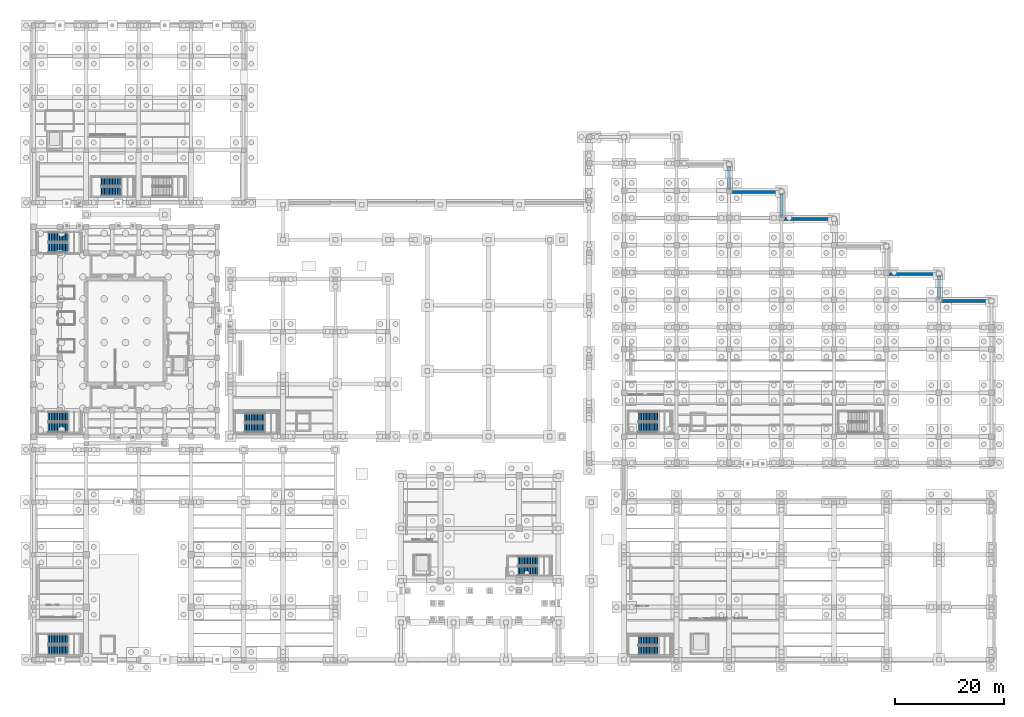
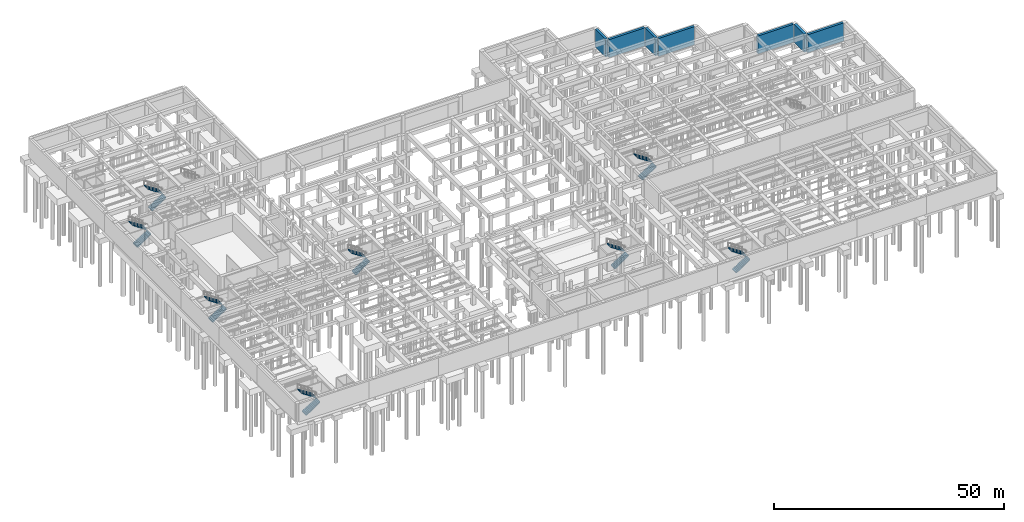
# One storey, part 41 of 56: 16 stair flights, 7 walls, 8 elements without a shape of their own.
"""IFC4 building model written with IfcOpenShell, lengths in metres."""

from ifc_helpers import new_model, si_unit, direction, frame, frame_2d, origin, place, context, subcontext, project, spatial, polyline, rectangle, outline, extrude, material, layer, layer_set, type_object, element, aggregate, save


model = new_model("IFC4")

# Units and contexts
model_context = context("Model", 3, precision=1e-05, world=origin(), true_north=direction((0.0, 1.0)))
body_context = subcontext(model_context, "Body", "Model", "MODEL_VIEW")
ifc_project = project(units=[si_unit("LENGTHUNIT", "METRE"), si_unit("AREAUNIT", "SQUARE_METRE"), si_unit("VOLUMEUNIT", "CUBIC_METRE"), si_unit("PLANEANGLEUNIT", "RADIAN"), si_unit("MASSUNIT", "GRAM", prefix="KILO")], contexts=[model_context])

# Site, building, storey
site_placement = place(None, origin())
site = spatial("IfcSite", under=ifc_project, at=site_placement, CompositionType="ELEMENT")
building_placement = place(site_placement, origin())
building = spatial("IfcBuilding", under=site, at=building_placement, Name="Mavantir Sound Aquarium", CompositionType="ELEMENT")
storey_placement = place(building_placement, frame((0.0, 0.0, -9.60009765625)))
storey = spatial("IfcBuildingStorey", under=building, at=storey_placement, Name="B2", CompositionType="ELEMENT", Elevation=-9.60009765625)

# Walls
ifc_material_1 = material(Name="Concrete C45/55", Category="concrete")
ifc_layer = layer(ifc_material_1, 0.60009765625, Name="Concrete C45/55")
ifc_layer_set = layer_set([ifc_layer], Name="Concrete C45/55")
wall_type = type_object("IfcWallType", Name="SW-RET-600", PredefinedType="USERDEFINED", material=ifc_layer_set)
wall_1_placement = place(storey_placement, frame((127.199951171875, 90.320068359375, 0.0), z_axis=(0.0, 0.0, 1.0), x_axis=(0.0, -1.0, 0.0)))
element("IfcWall", 1, at=wall_1_placement, inside=storey, type_object=wall_type, Name="B2 perimeter plinth retaining wall 39", ObjectType="RETAINING WALL", PredefinedType="USERDEFINED", context=body_context, shape_type="SweptSolid", body=[
    extrude(rectangle(XDim=4.440185546875, YDim=0.60009765625, at=frame_2d((2.22021484375, 0.0))), origin(), (0.0, 0.0, 1.0), 4.800048828125),
])
wall_2_placement = place(storey_placement, frame((127.47998046875, 85.60009765625, 0.0), z_axis=(0.0, 0.0, 1.0), x_axis=(1.0, 0.0, 0.0)))
element("IfcWall", 2, at=wall_2_placement, inside=storey, type_object=wall_type, Name="B2 perimeter plinth retaining wall 41", ObjectType="RETAINING WALL", PredefinedType="USERDEFINED", context=body_context, shape_type="SweptSolid", body=[
    extrude(rectangle(XDim=9.0400390625, YDim=0.60009765625, at=frame_2d((4.52001953125, 0.0))), origin(), (0.0, 0.0, 1.0), 4.800048828125),
])
wall_3_placement = place(storey_placement, frame((136.800048828125, 85.320068359375, 0.0), z_axis=(0.0, 0.0, 1.0), x_axis=(0.0, -1.0, 0.0)))
element("IfcWall", 3, at=wall_3_placement, inside=storey, type_object=wall_type, Name="B2 perimeter plinth retaining wall 43", ObjectType="RETAINING WALL", PredefinedType="USERDEFINED", context=body_context, shape_type="SweptSolid", body=[
    extrude(rectangle(XDim=4.440185546875, YDim=0.60009765625, at=frame_2d((2.22021484375, 0.0))), origin(), (0.0, 0.0, 1.0), 4.800048828125),
])
for number, where, z_axis, x_axis, name in (
    (4, (137.080078125, 80.60009765625, 0.0), (0.0, 0.0, 1.0), (1.0, 0.0, 0.0), "B2 perimeter plinth retaining wall 45"),
    (5, (156.280029296875, 70.60009765625, 0.0), (0.0, 0.0, 1.0), (1.0, 0.0, 0.0), "B2 perimeter plinth retaining wall 53"),
):
    element("IfcWall", number, at=place(storey_placement, frame(where, z_axis=z_axis, x_axis=x_axis)), inside=storey, type_object=wall_type, Name=name, ObjectType="RETAINING WALL", PredefinedType="USERDEFINED", context=body_context, shape_type="SweptSolid", body=[
        extrude(rectangle(XDim=9.0400390625, YDim=0.60009765625, at=frame_2d((4.52001953125, 0.0))), origin(), (0.0, 0.0, 1.0), 4.800048828125),
    ])
wall_4_placement = place(storey_placement, frame((165.60009765625, 70.320068359375, 0.0), z_axis=(0.0, 0.0, 1.0), x_axis=(0.0, -1.0, 0.0)))
element("IfcWall", 6, at=wall_4_placement, inside=storey, type_object=wall_type, Name="B2 perimeter plinth retaining wall 55", ObjectType="RETAINING WALL", PredefinedType="USERDEFINED", context=body_context, shape_type="SweptSolid", body=[
    extrude(rectangle(XDim=4.440185546875, YDim=0.60009765625, at=frame_2d((2.22021484375, 0.0))), origin(), (0.0, 0.0, 1.0), 4.800048828125),
])
wall_5_placement = place(storey_placement, frame((165.8798828125, 65.60009765625, 0.0), z_axis=(0.0, 0.0, 1.0), x_axis=(1.0, 0.0, 0.0)))
element("IfcWall", 7, at=wall_5_placement, inside=storey, type_object=wall_type, Name="B2 perimeter plinth retaining wall 57", ObjectType="RETAINING WALL", PredefinedType="USERDEFINED", context=body_context, shape_type="SweptSolid", body=[
    extrude(rectangle(XDim=9.0400390625, YDim=0.60009765625, at=frame_2d((4.52001953125, 0.0))), origin(), (0.0, 0.0, 1.0), 4.800048828125),
])

# Stair, stair flights
ifc_material_2 = material(Name="Concrete C40/50", Category="concrete")
stair_type_1 = type_object("IfcStairType", Name="STR-1650-4800", PredefinedType="HALF_TURN_STAIR", material=ifc_material_2)
stair_1_placement = place(storey_placement, origin())
stair_1 = element("IfcStair", 8, at=stair_1_placement, inside=storey, type_object=stair_type_1, Name="B2 Protected exit stair ST5", PredefinedType="HALF_TURN_STAIR")
stair_flight_type_1 = type_object("IfcStairFlightType", Name="STF-1650-4800", PredefinedType="STRAIGHT", material=ifc_material_2)
stair_flight_1_placement = place(storey_placement, frame((12.39990234375, 85.625, 0.0), z_axis=(0.0, 0.0, 1.0), x_axis=(1.0, 0.0, 0.0)))
stair_flight_1 = element("IfcStairFlight", 9, at=stair_flight_1_placement, type_object=stair_flight_type_1, Name="ST5 flight 1", NumberOfRisers=13, NumberOfTreads=12, PredefinedType="STRAIGHT", RiserHeight=0.184615385, TreadLength=0.29, context=body_context, shape_type="SweptSolid", body=[
    extrude(outline(polyline([(-0.044921875, -0.139892578125), (-0.044921875, 0.0), (0.0, 0.0), (0.0, 0.1845703125), (0.2900390625, 0.1845703125), (0.2900390625, 0.369140625), (0.580078125, 0.369140625), (0.580078125, 0.553955078125), (0.8701171875, 0.553955078125), (0.8701171875, 0.738525390625), (1.159912109375, 0.738525390625), (1.159912109375, 0.923095703125), (1.449951171875, 0.923095703125), (1.449951171875, 1.107666015625), (1.739990234375, 1.107666015625), (1.739990234375, 1.292236328125), (2.030029296875, 1.292236328125), (2.030029296875, 1.476806640625), (2.320068359375, 1.476806640625), (2.320068359375, 1.66162109375), (2.610107421875, 1.66162109375), (2.610107421875, 1.84619140625), (2.89990234375, 1.84619140625), (2.89990234375, 2.03076171875), (3.18994140625, 2.03076171875), (3.18994140625, 2.21533203125), (3.47998046875, 2.21533203125), (3.47998046875, 2.39990234375), (3.52490234375, 2.39990234375), (3.52490234375, 2.080078125), (3.47998046875, 2.080078125), (0.212646484375, -0.139892578125), (-0.044921875, -0.139892578125)])), frame((0.0, 0.824951171875, 0.0), z_axis=(0.0, -1.0, 0.0), x_axis=(1.0, 0.0, 0.0)), (0.0, 0.0, 1.0), 1.64990234375),
])
stair_flight_2_placement = place(storey_placement, frame((15.8798828125, 87.425048828125, 2.400146484375), z_axis=(0.0, 0.0, 1.0), x_axis=(-1.0, 0.0, 0.0)))
stair_flight_2 = element("IfcStairFlight", 10, at=stair_flight_2_placement, type_object=stair_flight_type_1, Name="ST5 flight 2", NumberOfRisers=13, NumberOfTreads=12, PredefinedType="STRAIGHT", RiserHeight=0.184615385, TreadLength=0.29, context=body_context, shape_type="SweptSolid", body=[
    extrude(outline(polyline([(-0.044921875, -0.139892578125), (-0.044921875, 0.0), (0.0, 0.0), (0.0, 0.1845703125), (0.2900390625, 0.1845703125), (0.2900390625, 0.369140625), (0.580078125, 0.369140625), (0.580078125, 0.553955078125), (0.8701171875, 0.553955078125), (0.8701171875, 0.738525390625), (1.159912109375, 0.738525390625), (1.159912109375, 0.923095703125), (1.449951171875, 0.923095703125), (1.449951171875, 1.107666015625), (1.739990234375, 1.107666015625), (1.739990234375, 1.292236328125), (2.030029296875, 1.292236328125), (2.030029296875, 1.476806640625), (2.320068359375, 1.476806640625), (2.320068359375, 1.66162109375), (2.610107421875, 1.66162109375), (2.610107421875, 1.84619140625), (2.89990234375, 1.84619140625), (2.89990234375, 2.03076171875), (3.18994140625, 2.03076171875), (3.18994140625, 2.21533203125), (3.47998046875, 2.21533203125), (3.47998046875, 2.39990234375), (3.52490234375, 2.39990234375), (3.52490234375, 2.080078125), (3.47998046875, 2.080078125), (0.212646484375, -0.139892578125), (-0.044921875, -0.139892578125)])), frame((0.0, 0.824951171875, 0.0), z_axis=(0.0, -1.0, 0.0), x_axis=(1.0, 0.0, 0.0)), (0.0, 0.0, 1.0), 1.64990234375),
])
aggregate(stair_1, [stair_flight_1, stair_flight_2])

stair_2_placement = place(storey_placement, origin())
stair_2 = element("IfcStair", 11, at=stair_2_placement, inside=storey, type_object=stair_type_1, Name="B2 Protected exit stair ST6", PredefinedType="HALF_TURN_STAIR")
stair_flight_3_placement = place(storey_placement, frame((110.64990234375, 1.675048828125, 0.0), z_axis=(0.0, 0.0, 1.0), x_axis=(1.0, 0.0, 0.0)))
stair_flight_3 = element("IfcStairFlight", 12, at=stair_flight_3_placement, type_object=stair_flight_type_1, Name="ST6 flight 1", NumberOfRisers=13, NumberOfTreads=12, PredefinedType="STRAIGHT", RiserHeight=0.184615385, TreadLength=0.29, context=body_context, shape_type="SweptSolid", body=[
    extrude(outline(polyline([(-0.044921875, -0.139892578125), (-0.044921875, 0.0), (0.0, 0.0), (0.0, 0.1845703125), (0.2900390625, 0.1845703125), (0.2900390625, 0.369140625), (0.580078125, 0.369140625), (0.580078125, 0.553955078125), (0.8701171875, 0.553955078125), (0.8701171875, 0.738525390625), (1.159912109375, 0.738525390625), (1.159912109375, 0.923095703125), (1.449951171875, 0.923095703125), (1.449951171875, 1.107666015625), (1.739990234375, 1.107666015625), (1.739990234375, 1.292236328125), (2.030029296875, 1.292236328125), (2.030029296875, 1.476806640625), (2.320068359375, 1.476806640625), (2.320068359375, 1.66162109375), (2.610107421875, 1.66162109375), (2.610107421875, 1.84619140625), (2.89990234375, 1.84619140625), (2.89990234375, 2.03076171875), (3.18994140625, 2.03076171875), (3.18994140625, 2.21533203125), (3.47998046875, 2.21533203125), (3.47998046875, 2.39990234375), (3.52490234375, 2.39990234375), (3.52490234375, 2.080078125), (3.47998046875, 2.080078125), (0.212646484375, -0.139892578125), (-0.044921875, -0.139892578125)])), frame((0.0, 0.824951171875, 0.0), z_axis=(0.0, -1.0, 0.0), x_axis=(1.0, 0.0, 0.0)), (0.0, 0.0, 1.0), 1.64990234375),
])
stair_flight_4_placement = place(storey_placement, frame((114.1298828125, 3.47509765625, 2.400146484375), z_axis=(0.0, 0.0, 1.0), x_axis=(-1.0, 0.0, 0.0)))
stair_flight_4 = element("IfcStairFlight", 13, at=stair_flight_4_placement, type_object=stair_flight_type_1, Name="ST6 flight 2", NumberOfRisers=13, NumberOfTreads=12, PredefinedType="STRAIGHT", RiserHeight=0.184615385, TreadLength=0.29, context=body_context, shape_type="SweptSolid", body=[
    extrude(outline(polyline([(-0.044921875, -0.139892578125), (-0.044921875, 0.0), (0.0, 0.0), (0.0, 0.1845703125), (0.2900390625, 0.1845703125), (0.2900390625, 0.369140625), (0.580078125, 0.369140625), (0.580078125, 0.553955078125), (0.8701171875, 0.553955078125), (0.8701171875, 0.738525390625), (1.159912109375, 0.738525390625), (1.159912109375, 0.923095703125), (1.449951171875, 0.923095703125), (1.449951171875, 1.107666015625), (1.739990234375, 1.107666015625), (1.739990234375, 1.292236328125), (2.030029296875, 1.292236328125), (2.030029296875, 1.476806640625), (2.320068359375, 1.476806640625), (2.320068359375, 1.66162109375), (2.610107421875, 1.66162109375), (2.610107421875, 1.84619140625), (2.89990234375, 1.84619140625), (2.89990234375, 2.03076171875), (3.18994140625, 2.03076171875), (3.18994140625, 2.21533203125), (3.47998046875, 2.21533203125), (3.47998046875, 2.39990234375), (3.52490234375, 2.39990234375), (3.52490234375, 2.080078125), (3.47998046875, 2.080078125), (0.212646484375, -0.139892578125), (-0.044921875, -0.139892578125)])), frame((0.0, 0.824951171875, 0.0), z_axis=(0.0, -1.0, 0.0), x_axis=(1.0, 0.0, 0.0)), (0.0, 0.0, 1.0), 1.64990234375),
])
aggregate(stair_2, [stair_flight_3, stair_flight_4])

stair_3_placement = place(storey_placement, origin())
stair_3 = element("IfcStair", 14, at=stair_3_placement, inside=storey, type_object=stair_type_1, Name="B2 Protected exit stair ST8", PredefinedType="HALF_TURN_STAIR")
stair_flight_5_placement = place(storey_placement, frame((38.64990234375, 42.425048828125, 0.0), z_axis=(0.0, 0.0, 1.0), x_axis=(1.0, 0.0, 0.0)))
stair_flight_5 = element("IfcStairFlight", 15, at=stair_flight_5_placement, type_object=stair_flight_type_1, Name="ST8 flight 1", NumberOfRisers=13, NumberOfTreads=12, PredefinedType="STRAIGHT", RiserHeight=0.184615385, TreadLength=0.29, context=body_context, shape_type="SweptSolid", body=[
    extrude(outline(polyline([(-0.044921875, -0.139892578125), (-0.044921875, 0.0), (0.0, 0.0), (0.0, 0.1845703125), (0.2900390625, 0.1845703125), (0.2900390625, 0.369140625), (0.580078125, 0.369140625), (0.580078125, 0.553955078125), (0.8701171875, 0.553955078125), (0.8701171875, 0.738525390625), (1.159912109375, 0.738525390625), (1.159912109375, 0.923095703125), (1.449951171875, 0.923095703125), (1.449951171875, 1.107666015625), (1.739990234375, 1.107666015625), (1.739990234375, 1.292236328125), (2.030029296875, 1.292236328125), (2.030029296875, 1.476806640625), (2.320068359375, 1.476806640625), (2.320068359375, 1.66162109375), (2.610107421875, 1.66162109375), (2.610107421875, 1.84619140625), (2.89990234375, 1.84619140625), (2.89990234375, 2.03076171875), (3.18994140625, 2.03076171875), (3.18994140625, 2.21533203125), (3.47998046875, 2.21533203125), (3.47998046875, 2.39990234375), (3.52490234375, 2.39990234375), (3.52490234375, 2.080078125), (3.47998046875, 2.080078125), (0.212646484375, -0.139892578125), (-0.044921875, -0.139892578125)])), frame((0.0, 0.824951171875, 0.0), z_axis=(0.0, -1.0, 0.0), x_axis=(1.0, 0.0, 0.0)), (0.0, 0.0, 1.0), 1.64990234375),
])
stair_flight_6_placement = place(storey_placement, frame((42.1298828125, 44.22509765625, 2.400146484375), z_axis=(0.0, 0.0, 1.0), x_axis=(-1.0, 0.0, 0.0)))
stair_flight_6 = element("IfcStairFlight", 16, at=stair_flight_6_placement, type_object=stair_flight_type_1, Name="ST8 flight 2", NumberOfRisers=13, NumberOfTreads=12, PredefinedType="STRAIGHT", RiserHeight=0.184615385, TreadLength=0.29, context=body_context, shape_type="SweptSolid", body=[
    extrude(outline(polyline([(-0.044921875, -0.139892578125), (-0.044921875, 0.0), (0.0, 0.0), (0.0, 0.1845703125), (0.2900390625, 0.1845703125), (0.2900390625, 0.369140625), (0.580078125, 0.369140625), (0.580078125, 0.553955078125), (0.8701171875, 0.553955078125), (0.8701171875, 0.738525390625), (1.159912109375, 0.738525390625), (1.159912109375, 0.923095703125), (1.449951171875, 0.923095703125), (1.449951171875, 1.107666015625), (1.739990234375, 1.107666015625), (1.739990234375, 1.292236328125), (2.030029296875, 1.292236328125), (2.030029296875, 1.476806640625), (2.320068359375, 1.476806640625), (2.320068359375, 1.66162109375), (2.610107421875, 1.66162109375), (2.610107421875, 1.84619140625), (2.89990234375, 1.84619140625), (2.89990234375, 2.03076171875), (3.18994140625, 2.03076171875), (3.18994140625, 2.21533203125), (3.47998046875, 2.21533203125), (3.47998046875, 2.39990234375), (3.52490234375, 2.39990234375), (3.52490234375, 2.080078125), (3.47998046875, 2.080078125), (0.212646484375, -0.139892578125), (-0.044921875, -0.139892578125)])), frame((0.0, 0.824951171875, 0.0), z_axis=(0.0, -1.0, 0.0), x_axis=(1.0, 0.0, 0.0)), (0.0, 0.0, 1.0), 1.64990234375),
])
aggregate(stair_3, [stair_flight_5, stair_flight_6])

stair_4_placement = place(storey_placement, origin())
stair_4 = element("IfcStair", 17, at=stair_4_placement, inside=storey, type_object=stair_type_1, Name="B2 Protected exit stair ST11", PredefinedType="HALF_TURN_STAIR")
stair_flight_7_placement = place(storey_placement, frame((88.60009765625, 16.22509765625, 0.0), z_axis=(0.0, 0.0, 1.0), x_axis=(1.0, 0.0, 0.0)))
stair_flight_7 = element("IfcStairFlight", 18, at=stair_flight_7_placement, type_object=stair_flight_type_1, Name="ST11 flight 1", NumberOfRisers=13, NumberOfTreads=12, PredefinedType="STRAIGHT", RiserHeight=0.184615385, TreadLength=0.29, context=body_context, shape_type="SweptSolid", body=[
    extrude(outline(polyline([(-0.044921875, -0.139892578125), (-0.044921875, 0.0), (0.0, 0.0), (0.0, 0.1845703125), (0.2900390625, 0.1845703125), (0.2900390625, 0.369140625), (0.580078125, 0.369140625), (0.580078125, 0.553955078125), (0.8701171875, 0.553955078125), (0.8701171875, 0.738525390625), (1.159912109375, 0.738525390625), (1.159912109375, 0.923095703125), (1.449951171875, 0.923095703125), (1.449951171875, 1.107666015625), (1.739990234375, 1.107666015625), (1.739990234375, 1.292236328125), (2.030029296875, 1.292236328125), (2.030029296875, 1.476806640625), (2.320068359375, 1.476806640625), (2.320068359375, 1.66162109375), (2.610107421875, 1.66162109375), (2.610107421875, 1.84619140625), (2.89990234375, 1.84619140625), (2.89990234375, 2.03076171875), (3.18994140625, 2.03076171875), (3.18994140625, 2.21533203125), (3.47998046875, 2.21533203125), (3.47998046875, 2.39990234375), (3.52490234375, 2.39990234375), (3.52490234375, 2.080078125), (3.47998046875, 2.080078125), (0.212646484375, -0.139892578125), (-0.044921875, -0.139892578125)])), frame((0.0, 0.824951171875, 0.0), z_axis=(0.0, -1.0, 0.0), x_axis=(1.0, 0.0, 0.0)), (0.0, 0.0, 1.0), 1.64990234375),
])
stair_flight_8_placement = place(storey_placement, frame((92.080078125, 18.02490234375, 2.400146484375), z_axis=(0.0, 0.0, 1.0), x_axis=(-1.0, 0.0, 0.0)))
stair_flight_8 = element("IfcStairFlight", 19, at=stair_flight_8_placement, type_object=stair_flight_type_1, Name="ST11 flight 2", NumberOfRisers=13, NumberOfTreads=12, PredefinedType="STRAIGHT", RiserHeight=0.184615385, TreadLength=0.29, context=body_context, shape_type="SweptSolid", body=[
    extrude(outline(polyline([(-0.044921875, -0.139892578125), (-0.044921875, 0.0), (0.0, 0.0), (0.0, 0.1845703125), (0.2900390625, 0.1845703125), (0.2900390625, 0.369140625), (0.580078125, 0.369140625), (0.580078125, 0.553955078125), (0.8701171875, 0.553955078125), (0.8701171875, 0.738525390625), (1.159912109375, 0.738525390625), (1.159912109375, 0.923095703125), (1.449951171875, 0.923095703125), (1.449951171875, 1.107666015625), (1.739990234375, 1.107666015625), (1.739990234375, 1.292236328125), (2.030029296875, 1.292236328125), (2.030029296875, 1.476806640625), (2.320068359375, 1.476806640625), (2.320068359375, 1.66162109375), (2.610107421875, 1.66162109375), (2.610107421875, 1.84619140625), (2.89990234375, 1.84619140625), (2.89990234375, 2.03076171875), (3.18994140625, 2.03076171875), (3.18994140625, 2.21533203125), (3.47998046875, 2.21533203125), (3.47998046875, 2.39990234375), (3.52490234375, 2.39990234375), (3.52490234375, 2.080078125), (3.47998046875, 2.080078125), (0.212646484375, -0.139892578125), (-0.044921875, -0.139892578125)])), frame((0.0, 0.824951171875, 0.0), z_axis=(0.0, -1.0, 0.0), x_axis=(1.0, 0.0, 0.0)), (0.0, 0.0, 1.0), 1.64990234375),
])
aggregate(stair_4, [stair_flight_7, stair_flight_8])

stair_type_2 = type_object("IfcStairType", Name="STR-1800-4800", PredefinedType="HALF_TURN_STAIR", material=ifc_material_2)
stair_5_placement = place(storey_placement, origin())
stair_5 = element("IfcStair", 20, at=stair_5_placement, inside=storey, type_object=stair_type_2, Name="B2 Protected exit stair ST1", PredefinedType="HALF_TURN_STAIR")
stair_flight_type_2 = type_object("IfcStairFlightType", Name="STF-1800-4800", PredefinedType="STRAIGHT", material=ifc_material_2)
stair_flight_9_placement = place(storey_placement, frame((2.64990234375, 42.5, 0.0), z_axis=(0.0, 0.0, 1.0), x_axis=(1.0, 0.0, 0.0)))
stair_flight_9 = element("IfcStairFlight", 21, at=stair_flight_9_placement, type_object=stair_flight_type_2, Name="ST1 flight 1", NumberOfRisers=13, NumberOfTreads=12, PredefinedType="STRAIGHT", RiserHeight=0.184615385, TreadLength=0.29, context=body_context, shape_type="SweptSolid", body=[
    extrude(outline(polyline([(-0.044921875, -0.139892578125), (-0.044921875, 0.0), (0.0, 0.0), (0.0, 0.1845703125), (0.2900390625, 0.1845703125), (0.2900390625, 0.369140625), (0.580078125, 0.369140625), (0.580078125, 0.553955078125), (0.8701171875, 0.553955078125), (0.8701171875, 0.738525390625), (1.159912109375, 0.738525390625), (1.159912109375, 0.923095703125), (1.449951171875, 0.923095703125), (1.449951171875, 1.107666015625), (1.739990234375, 1.107666015625), (1.739990234375, 1.292236328125), (2.030029296875, 1.292236328125), (2.030029296875, 1.476806640625), (2.320068359375, 1.476806640625), (2.320068359375, 1.66162109375), (2.610107421875, 1.66162109375), (2.610107421875, 1.84619140625), (2.89990234375, 1.84619140625), (2.89990234375, 2.03076171875), (3.18994140625, 2.03076171875), (3.18994140625, 2.21533203125), (3.47998046875, 2.21533203125), (3.47998046875, 2.39990234375), (3.52490234375, 2.39990234375), (3.52490234375, 2.080078125), (3.47998046875, 2.080078125), (0.212646484375, -0.139892578125), (-0.044921875, -0.139892578125)])), frame((0.0, 0.89990234375, 0.0), z_axis=(0.0, -1.0, 0.0), x_axis=(1.0, 0.0, 0.0)), (0.0, 0.0, 1.0), 1.800048828125),
])
stair_flight_10_placement = place(storey_placement, frame((6.1298828125, 44.449951171875, 2.400146484375), z_axis=(0.0, 0.0, 1.0), x_axis=(-1.0, 0.0, 0.0)))
stair_flight_10 = element("IfcStairFlight", 22, at=stair_flight_10_placement, type_object=stair_flight_type_2, Name="ST1 flight 2", NumberOfRisers=13, NumberOfTreads=12, PredefinedType="STRAIGHT", RiserHeight=0.184615385, TreadLength=0.29, context=body_context, shape_type="SweptSolid", body=[
    extrude(outline(polyline([(-0.044921875, -0.139892578125), (-0.044921875, 0.0), (0.0, 0.0), (0.0, 0.1845703125), (0.2900390625, 0.1845703125), (0.2900390625, 0.369140625), (0.580078125, 0.369140625), (0.580078125, 0.553955078125), (0.8701171875, 0.553955078125), (0.8701171875, 0.738525390625), (1.159912109375, 0.738525390625), (1.159912109375, 0.923095703125), (1.449951171875, 0.923095703125), (1.449951171875, 1.107666015625), (1.739990234375, 1.107666015625), (1.739990234375, 1.292236328125), (2.030029296875, 1.292236328125), (2.030029296875, 1.476806640625), (2.320068359375, 1.476806640625), (2.320068359375, 1.66162109375), (2.610107421875, 1.66162109375), (2.610107421875, 1.84619140625), (2.89990234375, 1.84619140625), (2.89990234375, 2.03076171875), (3.18994140625, 2.03076171875), (3.18994140625, 2.21533203125), (3.47998046875, 2.21533203125), (3.47998046875, 2.39990234375), (3.52490234375, 2.39990234375), (3.52490234375, 2.080078125), (3.47998046875, 2.080078125), (0.212646484375, -0.139892578125), (-0.044921875, -0.139892578125)])), frame((0.0, 0.89990234375, 0.0), z_axis=(0.0, -1.0, 0.0), x_axis=(1.0, 0.0, 0.0)), (0.0, 0.0, 1.0), 1.800048828125),
])
aggregate(stair_5, [stair_flight_9, stair_flight_10])

stair_6_placement = place(storey_placement, origin())
stair_6 = element("IfcStair", 23, at=stair_6_placement, inside=storey, type_object=stair_type_2, Name="B2 Protected exit stair ST2", PredefinedType="HALF_TURN_STAIR")
stair_flight_11_placement = place(storey_placement, frame((2.64990234375, 75.300048828125, 0.0), z_axis=(0.0, 0.0, 1.0), x_axis=(1.0, 0.0, 0.0)))
stair_flight_11 = element("IfcStairFlight", 24, at=stair_flight_11_placement, type_object=stair_flight_type_2, Name="ST2 flight 1", NumberOfRisers=13, NumberOfTreads=12, PredefinedType="STRAIGHT", RiserHeight=0.184615385, TreadLength=0.29, context=body_context, shape_type="SweptSolid", body=[
    extrude(outline(polyline([(-0.044921875, -0.139892578125), (-0.044921875, 0.0), (0.0, 0.0), (0.0, 0.1845703125), (0.2900390625, 0.1845703125), (0.2900390625, 0.369140625), (0.580078125, 0.369140625), (0.580078125, 0.553955078125), (0.8701171875, 0.553955078125), (0.8701171875, 0.738525390625), (1.159912109375, 0.738525390625), (1.159912109375, 0.923095703125), (1.449951171875, 0.923095703125), (1.449951171875, 1.107666015625), (1.739990234375, 1.107666015625), (1.739990234375, 1.292236328125), (2.030029296875, 1.292236328125), (2.030029296875, 1.476806640625), (2.320068359375, 1.476806640625), (2.320068359375, 1.66162109375), (2.610107421875, 1.66162109375), (2.610107421875, 1.84619140625), (2.89990234375, 1.84619140625), (2.89990234375, 2.03076171875), (3.18994140625, 2.03076171875), (3.18994140625, 2.21533203125), (3.47998046875, 2.21533203125), (3.47998046875, 2.39990234375), (3.52490234375, 2.39990234375), (3.52490234375, 2.080078125), (3.47998046875, 2.080078125), (0.212646484375, -0.139892578125), (-0.044921875, -0.139892578125)])), frame((0.0, 0.89990234375, 0.0), z_axis=(0.0, -1.0, 0.0), x_axis=(1.0, 0.0, 0.0)), (0.0, 0.0, 1.0), 1.800048828125),
])
stair_flight_12_placement = place(storey_placement, frame((6.1298828125, 77.25, 2.400146484375), z_axis=(0.0, 0.0, 1.0), x_axis=(-1.0, 0.0, 0.0)))
stair_flight_12 = element("IfcStairFlight", 25, at=stair_flight_12_placement, type_object=stair_flight_type_2, Name="ST2 flight 2", NumberOfRisers=13, NumberOfTreads=12, PredefinedType="STRAIGHT", RiserHeight=0.184615385, TreadLength=0.29, context=body_context, shape_type="SweptSolid", body=[
    extrude(outline(polyline([(-0.044921875, -0.139892578125), (-0.044921875, 0.0), (0.0, 0.0), (0.0, 0.1845703125), (0.2900390625, 0.1845703125), (0.2900390625, 0.369140625), (0.580078125, 0.369140625), (0.580078125, 0.553955078125), (0.8701171875, 0.553955078125), (0.8701171875, 0.738525390625), (1.159912109375, 0.738525390625), (1.159912109375, 0.923095703125), (1.449951171875, 0.923095703125), (1.449951171875, 1.107666015625), (1.739990234375, 1.107666015625), (1.739990234375, 1.292236328125), (2.030029296875, 1.292236328125), (2.030029296875, 1.476806640625), (2.320068359375, 1.476806640625), (2.320068359375, 1.66162109375), (2.610107421875, 1.66162109375), (2.610107421875, 1.84619140625), (2.89990234375, 1.84619140625), (2.89990234375, 2.03076171875), (3.18994140625, 2.03076171875), (3.18994140625, 2.21533203125), (3.47998046875, 2.21533203125), (3.47998046875, 2.39990234375), (3.52490234375, 2.39990234375), (3.52490234375, 2.080078125), (3.47998046875, 2.080078125), (0.212646484375, -0.139892578125), (-0.044921875, -0.139892578125)])), frame((0.0, 0.89990234375, 0.0), z_axis=(0.0, -1.0, 0.0), x_axis=(1.0, 0.0, 0.0)), (0.0, 0.0, 1.0), 1.800048828125),
])
aggregate(stair_6, [stair_flight_11, stair_flight_12])

stair_7_placement = place(storey_placement, origin())
stair_7 = element("IfcStair", 26, at=stair_7_placement, inside=storey, type_object=stair_type_2, Name="B2 Protected exit stair ST3", PredefinedType="HALF_TURN_STAIR")
stair_flight_13_placement = place(storey_placement, frame((2.64990234375, 1.75, 0.0), z_axis=(0.0, 0.0, 1.0), x_axis=(1.0, 0.0, 0.0)))
stair_flight_13 = element("IfcStairFlight", 27, at=stair_flight_13_placement, type_object=stair_flight_type_2, Name="ST3 flight 1", NumberOfRisers=13, NumberOfTreads=12, PredefinedType="STRAIGHT", RiserHeight=0.184615385, TreadLength=0.29, context=body_context, shape_type="SweptSolid", body=[
    extrude(outline(polyline([(-0.044921875, -0.139892578125), (-0.044921875, 0.0), (0.0, 0.0), (0.0, 0.1845703125), (0.2900390625, 0.1845703125), (0.2900390625, 0.369140625), (0.580078125, 0.369140625), (0.580078125, 0.553955078125), (0.8701171875, 0.553955078125), (0.8701171875, 0.738525390625), (1.159912109375, 0.738525390625), (1.159912109375, 0.923095703125), (1.449951171875, 0.923095703125), (1.449951171875, 1.107666015625), (1.739990234375, 1.107666015625), (1.739990234375, 1.292236328125), (2.030029296875, 1.292236328125), (2.030029296875, 1.476806640625), (2.320068359375, 1.476806640625), (2.320068359375, 1.66162109375), (2.610107421875, 1.66162109375), (2.610107421875, 1.84619140625), (2.89990234375, 1.84619140625), (2.89990234375, 2.03076171875), (3.18994140625, 2.03076171875), (3.18994140625, 2.21533203125), (3.47998046875, 2.21533203125), (3.47998046875, 2.39990234375), (3.52490234375, 2.39990234375), (3.52490234375, 2.080078125), (3.47998046875, 2.080078125), (0.212646484375, -0.139892578125), (-0.044921875, -0.139892578125)])), frame((0.0, 0.89990234375, 0.0), z_axis=(0.0, -1.0, 0.0), x_axis=(1.0, 0.0, 0.0)), (0.0, 0.0, 1.0), 1.800048828125),
])
stair_flight_14_placement = place(storey_placement, frame((6.1298828125, 3.699951171875, 2.400146484375), z_axis=(0.0, 0.0, 1.0), x_axis=(-1.0, 0.0, 0.0)))
stair_flight_14 = element("IfcStairFlight", 28, at=stair_flight_14_placement, type_object=stair_flight_type_2, Name="ST3 flight 2", NumberOfRisers=13, NumberOfTreads=12, PredefinedType="STRAIGHT", RiserHeight=0.184615385, TreadLength=0.29, context=body_context, shape_type="SweptSolid", body=[
    extrude(outline(polyline([(-0.044921875, -0.139892578125), (-0.044921875, 0.0), (0.0, 0.0), (0.0, 0.1845703125), (0.2900390625, 0.1845703125), (0.2900390625, 0.369140625), (0.580078125, 0.369140625), (0.580078125, 0.553955078125), (0.8701171875, 0.553955078125), (0.8701171875, 0.738525390625), (1.159912109375, 0.738525390625), (1.159912109375, 0.923095703125), (1.449951171875, 0.923095703125), (1.449951171875, 1.107666015625), (1.739990234375, 1.107666015625), (1.739990234375, 1.292236328125), (2.030029296875, 1.292236328125), (2.030029296875, 1.476806640625), (2.320068359375, 1.476806640625), (2.320068359375, 1.66162109375), (2.610107421875, 1.66162109375), (2.610107421875, 1.84619140625), (2.89990234375, 1.84619140625), (2.89990234375, 2.03076171875), (3.18994140625, 2.03076171875), (3.18994140625, 2.21533203125), (3.47998046875, 2.21533203125), (3.47998046875, 2.39990234375), (3.52490234375, 2.39990234375), (3.52490234375, 2.080078125), (3.47998046875, 2.080078125), (0.212646484375, -0.139892578125), (-0.044921875, -0.139892578125)])), frame((0.0, 0.89990234375, 0.0), z_axis=(0.0, -1.0, 0.0), x_axis=(1.0, 0.0, 0.0)), (0.0, 0.0, 1.0), 1.800048828125),
])
aggregate(stair_7, [stair_flight_13, stair_flight_14])

stair_8_placement = place(storey_placement, origin())
stair_8 = element("IfcStair", 29, at=stair_8_placement, inside=storey, type_object=stair_type_2, Name="B2 Protected exit stair ST4", PredefinedType="HALF_TURN_STAIR")
stair_flight_15_placement = place(storey_placement, frame((110.64990234375, 42.5, 0.0), z_axis=(0.0, 0.0, 1.0), x_axis=(1.0, 0.0, 0.0)))
stair_flight_15 = element("IfcStairFlight", 30, at=stair_flight_15_placement, type_object=stair_flight_type_2, Name="ST4 flight 1", NumberOfRisers=13, NumberOfTreads=12, PredefinedType="STRAIGHT", RiserHeight=0.184615385, TreadLength=0.29, context=body_context, shape_type="SweptSolid", body=[
    extrude(outline(polyline([(-0.044921875, -0.139892578125), (-0.044921875, 0.0), (0.0, 0.0), (0.0, 0.1845703125), (0.2900390625, 0.1845703125), (0.2900390625, 0.369140625), (0.580078125, 0.369140625), (0.580078125, 0.553955078125), (0.8701171875, 0.553955078125), (0.8701171875, 0.738525390625), (1.159912109375, 0.738525390625), (1.159912109375, 0.923095703125), (1.449951171875, 0.923095703125), (1.449951171875, 1.107666015625), (1.739990234375, 1.107666015625), (1.739990234375, 1.292236328125), (2.030029296875, 1.292236328125), (2.030029296875, 1.476806640625), (2.320068359375, 1.476806640625), (2.320068359375, 1.66162109375), (2.610107421875, 1.66162109375), (2.610107421875, 1.84619140625), (2.89990234375, 1.84619140625), (2.89990234375, 2.03076171875), (3.18994140625, 2.03076171875), (3.18994140625, 2.21533203125), (3.47998046875, 2.21533203125), (3.47998046875, 2.39990234375), (3.52490234375, 2.39990234375), (3.52490234375, 2.080078125), (3.47998046875, 2.080078125), (0.212646484375, -0.139892578125), (-0.044921875, -0.139892578125)])), frame((0.0, 0.89990234375, 0.0), z_axis=(0.0, -1.0, 0.0), x_axis=(1.0, 0.0, 0.0)), (0.0, 0.0, 1.0), 1.800048828125),
])
stair_flight_16_placement = place(storey_placement, frame((114.1298828125, 44.449951171875, 2.400146484375), z_axis=(0.0, 0.0, 1.0), x_axis=(-1.0, 0.0, 0.0)))
stair_flight_16 = element("IfcStairFlight", 31, at=stair_flight_16_placement, type_object=stair_flight_type_2, Name="ST4 flight 2", NumberOfRisers=13, NumberOfTreads=12, PredefinedType="STRAIGHT", RiserHeight=0.184615385, TreadLength=0.29, context=body_context, shape_type="SweptSolid", body=[
    extrude(outline(polyline([(-0.044921875, -0.139892578125), (-0.044921875, 0.0), (0.0, 0.0), (0.0, 0.1845703125), (0.2900390625, 0.1845703125), (0.2900390625, 0.369140625), (0.580078125, 0.369140625), (0.580078125, 0.553955078125), (0.8701171875, 0.553955078125), (0.8701171875, 0.738525390625), (1.159912109375, 0.738525390625), (1.159912109375, 0.923095703125), (1.449951171875, 0.923095703125), (1.449951171875, 1.107666015625), (1.739990234375, 1.107666015625), (1.739990234375, 1.292236328125), (2.030029296875, 1.292236328125), (2.030029296875, 1.476806640625), (2.320068359375, 1.476806640625), (2.320068359375, 1.66162109375), (2.610107421875, 1.66162109375), (2.610107421875, 1.84619140625), (2.89990234375, 1.84619140625), (2.89990234375, 2.03076171875), (3.18994140625, 2.03076171875), (3.18994140625, 2.21533203125), (3.47998046875, 2.21533203125), (3.47998046875, 2.39990234375), (3.52490234375, 2.39990234375), (3.52490234375, 2.080078125), (3.47998046875, 2.080078125), (0.212646484375, -0.139892578125), (-0.044921875, -0.139892578125)])), frame((0.0, 0.89990234375, 0.0), z_axis=(0.0, -1.0, 0.0), x_axis=(1.0, 0.0, 0.0)), (0.0, 0.0, 1.0), 1.800048828125),
])
aggregate(stair_8, [stair_flight_15, stair_flight_16])

save(model, "model.ifc")
